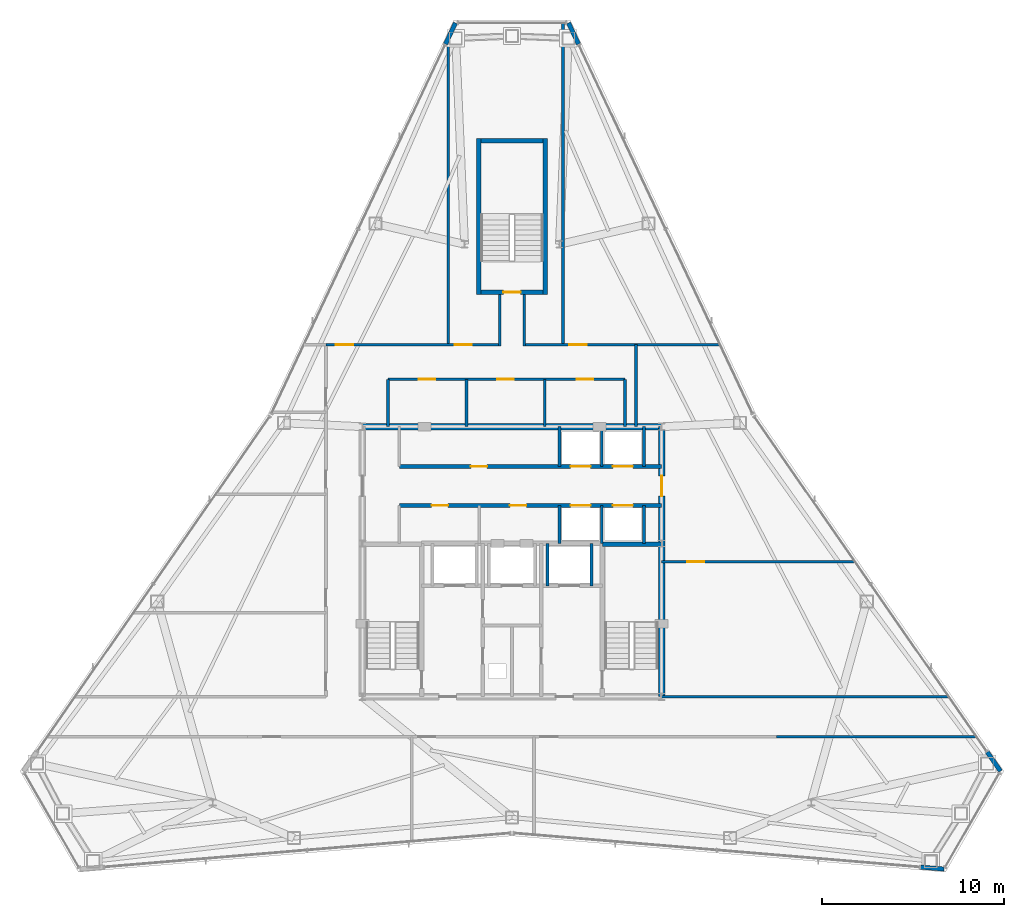
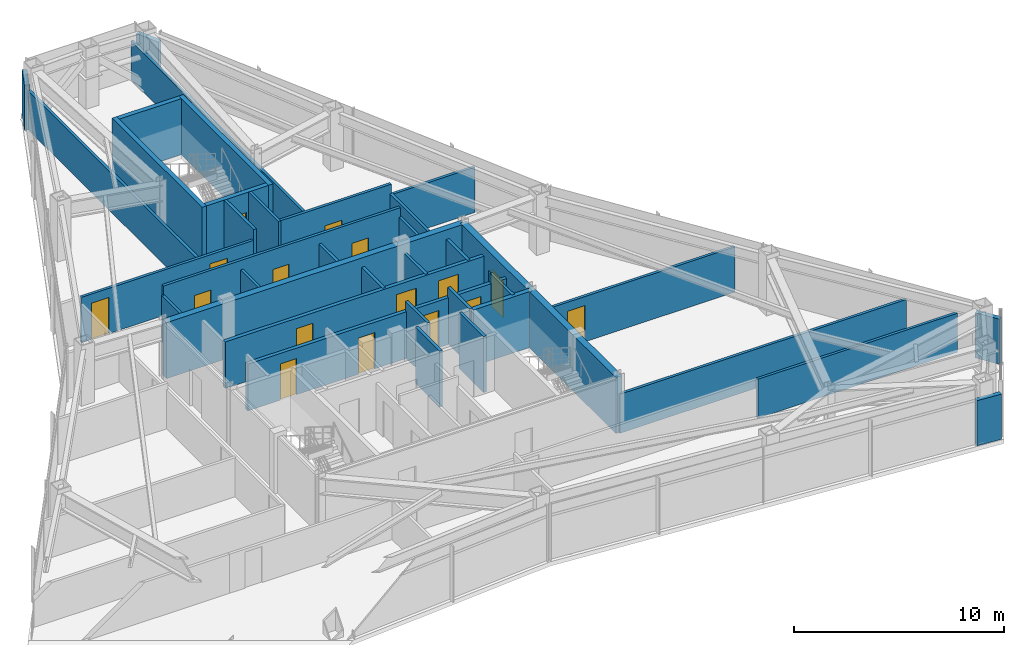
# One storey, part 10 of 12: 37 walls, 16 doors, 16 openings.
"""IFC4 building model written with IfcOpenShell, lengths in metres."""

import ifcopenshell
import ifcopenshell.guid

model = None  # the IFC model being written
_history = None  # IfcOwnerHistory: only IFC2X3 demands one
_inside = {}  # id of a spatial element -> (the spatial element, [elements in it])
_under = {}  # id of a project, library or spatial element -> (it, [spatial elements below it])
_declared = {}  # id of a project -> (the project, [libraries it declares])
_typed = {}  # id of a type object -> (the type object, [elements of that type])
_made_of = {}  # id of a material, layer set ... -> (it, [elements and type objects made of it])


def new_model(schema):
    """Start an empty IFC model of exactly this schema.

    Asked for "IFC4X3", IfcOpenShell would pick the latest addendum, in which some entities
    have other attributes; the version numbers below select the first issue.
    IFC2X3 requires an IfcOwnerHistory on every rooted entity: one is made here for all.
    """
    global model, _history
    if schema == "IFC4X3":
        model = ifcopenshell.file(schema_version=(4, 3, 0, 0))
    else:
        model = ifcopenshell.file(schema=schema)
    _inside.clear()
    _under.clear()
    _declared.clear()
    _typed.clear()
    _made_of.clear()
    _history = None
    if model.schema == "IFC2X3":
        org = make("IfcOrganization", Name="unknown")
        user = make(
            "IfcPersonAndOrganization",
            ThePerson=make("IfcPerson", FamilyName="unknown"),
            TheOrganization=org,
        )
        app = make(
            "IfcApplication",
            ApplicationDeveloper=org,
            Version="unknown",
            ApplicationFullName="unknown",
            ApplicationIdentifier="unknown",
        )
        _history = make(
            "IfcOwnerHistory",
            OwningUser=user,
            OwningApplication=app,
            ChangeAction="ADDED",
            CreationDate=0,
        )
    return model


def make(cls, **values):
    """One entity of the class cls with the attributes given. An attribute that is None is left unset."""
    return model.create_entity(
        cls, **{name: value for name, value in values.items() if value is not None}
    )


def rooted(cls, **values):
    """An entity with a GlobalId (a new one), such as an element, a storey or a relation."""
    return make(cls, GlobalId=ifcopenshell.guid.new(), OwnerHistory=_history, **values)


def si_unit(unit_type, name, prefix=None):
    """IfcSIUnit, for example si_unit("LENGTHUNIT", "METRE", prefix="MILLI")."""
    return make("IfcSIUnit", UnitType=unit_type, Prefix=prefix, Name=name)


def assignment(units):
    """IfcUnitAssignment: the units of a project."""
    return None if units is None else make("IfcUnitAssignment", Units=units)


def point(xyz):
    """IfcCartesianPoint."""
    return None if xyz is None else make("IfcCartesianPoint", Coordinates=xyz)


def direction(xyz):
    """IfcDirection."""
    return None if xyz is None else make("IfcDirection", DirectionRatios=xyz)


def frame(location, z_axis=None, x_axis=None):
    """IfcAxis2Placement3D, a coordinate frame: its origin and axes. An axis left out is left unset."""
    return make(
        "IfcAxis2Placement3D",
        Location=point(location),
        Axis=direction(z_axis),
        RefDirection=direction(x_axis),
    )


def frame_2d(location, x_axis=None):
    """IfcAxis2Placement2D, a coordinate frame in the plane: its origin and x axis."""
    return make(
        "IfcAxis2Placement2D", Location=point(location), RefDirection=direction(x_axis)
    )


def origin():
    """The frame at (0, 0, 0) with its axes left unset."""
    return frame((0.0, 0.0, 0.0))


def place(relative_to, where):
    """IfcLocalPlacement: puts the frame where relative to a parent placement (None: the world)."""
    return make(
        "IfcLocalPlacement", PlacementRelTo=relative_to, RelativePlacement=where
    )


def context(
    kind, dimensions, precision=None, world=None, true_north=None, identifier=None
):
    """IfcGeometricRepresentationContext, for example the 3D "Model" context."""
    return make(
        "IfcGeometricRepresentationContext",
        ContextIdentifier=identifier,
        ContextType=kind,
        CoordinateSpaceDimension=dimensions,
        Precision=precision,
        WorldCoordinateSystem=world,
        TrueNorth=true_north,
    )


def subcontext(parent, identifier, kind, view, scale=None):
    """IfcGeometricRepresentationSubContext, for example "Body" below "Model"."""
    return make(
        "IfcGeometricRepresentationSubContext",
        ContextIdentifier=identifier,
        ContextType=kind,
        ParentContext=parent,
        TargetScale=scale,
        TargetView=view,
    )


def project(units=None, contexts=None):
    """IfcProject with its units and contexts."""
    return rooted(
        "IfcProject",
        Name="project",
        RepresentationContexts=contexts,
        UnitsInContext=assignment(units),
    )


def spatial(cls, under=None, at=None, **own):
    """A site, building, storey or space (cls), placed at a placement, below another one or the project."""
    s = rooted(cls, ObjectPlacement=at, **own)
    if under is not None:
        _under.setdefault(under.id(), (under, []))[1].append(s)
    return s


def profile(cls, at=None, kind="AREA", **sizes):
    """A parametric profile (cls). Its sizes go by their IFC names, for example OverallWidth=200.0."""
    return make(cls, ProfileType=kind, Position=at, **sizes)


def rectangle(**sizes):
    """IfcRectangleProfileDef."""
    return profile("IfcRectangleProfileDef", **sizes)


def extrude(swept, where, along, depth):
    """IfcExtrudedAreaSolid: the profile swept, set in the frame where, extruded along a direction by depth."""
    return make(
        "IfcExtrudedAreaSolid",
        SweptArea=swept,
        Position=where,
        ExtrudedDirection=direction(along),
        Depth=depth,
    )


def shape(context_of_items, identifier, shape_type, items):
    """IfcShapeRepresentation: the items that make up one representation, for example the "Body"."""
    return make(
        "IfcShapeRepresentation",
        ContextOfItems=context_of_items,
        RepresentationIdentifier=identifier,
        RepresentationType=shape_type,
        Items=items,
    )


def material(Name=None, Category=None):
    """IfcMaterial."""
    return make("IfcMaterial", Name=Name, Category=Category)


def layer(
    of_material, thickness, ventilated=None, Name=None, Category=None, Priority=None
):
    """IfcMaterialLayer: one layer of a wall or slab, of a material (None: an air gap)."""
    return make(
        "IfcMaterialLayer",
        Material=of_material,
        LayerThickness=thickness,
        IsVentilated=ventilated,
        Name=Name,
        Category=Category,
        Priority=Priority,
    )


def layer_set(layers, Name=None):
    """IfcMaterialLayerSet."""
    return make("IfcMaterialLayerSet", MaterialLayers=layers, LayerSetName=Name)


def made_of(thing, what):
    """Note that an element or type object is made of a material, layer set ...; save() writes the relation."""
    if what is not None:
        _made_of.setdefault(what.id(), (what, []))[1].append(thing)
    return thing


def type_object(cls, material=None, **own):
    """A type object (cls), such as IfcWallType, which elements share."""
    return made_of(rooted(cls, **own), material)


def element(
    cls,
    number,
    at=None,
    inside=None,
    cuts=None,
    type_object=None,
    material=None,
    context=None,
    identifier="Body",
    shape_type=None,
    held_by="IfcProductDefinitionShape",
    body=None,
    shapes=None,
    **own,
):
    """One element of the class cls, such as IfcWall. Its Tag is "e" and its number.

    at: its placement. inside: the storey or other place that contains it. cuts: it is an
    opening in that element (IfcRelVoidsElement). A single representation is given by context,
    identifier, shape_type and body (its items); several are given by shapes. held_by: the class
    of the entity that holds the representations. save() writes the other relations.
    """
    e = rooted(cls, Tag="e%d" % number, ObjectPlacement=at, **own)
    if body is not None:
        shapes = [shape(context, identifier, shape_type, body)]
    if shapes is not None:
        e.Representation = make(held_by, Representations=shapes)
    if inside is not None:
        _inside.setdefault(inside.id(), (inside, []))[1].append(e)
    if cuts is not None:
        rooted(
            "IfcRelVoidsElement", RelatingBuildingElement=cuts, RelatedOpeningElement=e
        )
    if type_object is not None:
        _typed.setdefault(type_object.id(), (type_object, []))[1].append(e)
    return made_of(e, material)


def fill(opening, filler):
    """IfcRelFillsElement: the door or window that sits in an opening."""
    return rooted(
        "IfcRelFillsElement",
        RelatingOpeningElement=opening,
        RelatedBuildingElement=filler,
    )


def aggregate(whole, parts):
    """IfcRelAggregates: a whole, such as a stair, and the parts it consists of."""
    return rooted("IfcRelAggregates", RelatingObject=whole, RelatedObjects=parts)


def save(model, path):
    """Write the relations noted so far, then the file.

    IfcRelAggregates (storeys below a building ...), IfcRelContainedInSpatialStructure (elements
    in a storey), IfcRelDefinesByType, IfcRelAssociatesMaterial and IfcRelDeclares: one each for
    every whole, place, type object, material and project.
    """
    for whole, parts in _under.values():
        aggregate(whole, parts)
    for where, things in _inside.values():
        rooted(
            "IfcRelContainedInSpatialStructure",
            RelatedElements=things,
            RelatingStructure=where,
        )
    for kind, things in _typed.values():
        rooted("IfcRelDefinesByType", RelatedObjects=things, RelatingType=kind)
    for what, things in _made_of.values():
        rooted("IfcRelAssociatesMaterial", RelatedObjects=things, RelatingMaterial=what)
    for by, libraries in _declared.values():
        rooted("IfcRelDeclares", RelatingContext=by, RelatedDefinitions=libraries)
    model.write(path)


model = new_model("IFC4")

# Units and contexts
model_context = context("Model", 3, precision=1e-05, world=origin(), true_north=direction((0.0, 1.0)))
body_context = subcontext(model_context, "Body", "Model", "MODEL_VIEW")
ifc_project = project(units=[si_unit("LENGTHUNIT", "METRE"), si_unit("AREAUNIT", "SQUARE_METRE"), si_unit("VOLUMEUNIT", "CUBIC_METRE"), si_unit("PLANEANGLEUNIT", "RADIAN"), si_unit("MASSUNIT", "GRAM", prefix="KILO")], contexts=[model_context])

# Site, building, storey
site_placement = place(None, origin())
site = spatial("IfcSite", under=ifc_project, at=site_placement, CompositionType="ELEMENT")
building_placement = place(site_placement, origin())
building = spatial("IfcBuilding", under=site, at=building_placement, Name="Varakhsha Concourse Tower", CompositionType="ELEMENT")
storey_placement = place(building_placement, frame((0.0, 0.0, 232.89990234375)))
storey = spatial("IfcBuildingStorey", under=building, at=storey_placement, Name="L66", CompositionType="ELEMENT", Elevation=232.89990234375)

# Wall
ifc_material_1 = material(Name="Concrete fc 65 MPa", Category="concrete")
ifc_layer_1 = layer(ifc_material_1, 0.35009765625, Name="WL-CORE-350")
ifc_layer_set_1 = layer_set([ifc_layer_1], Name="Concrete fc 65 MPa")
wall_type_1 = type_object("IfcWallType", Name="WL-CORE-350", PredefinedType="SHEAR", material=ifc_layer_set_1)
wall_1_placement = place(storey_placement, frame((31.800048828125, 31.199951171875, 0.0), z_axis=(0.0, 0.0, 1.0), x_axis=(1.0, 0.0, 0.0)))
element("IfcWall", 1, at=wall_1_placement, inside=storey, type_object=wall_type_1, Name="L66 Wall CWALL-N-L66", PredefinedType="SHEAR", context=body_context, shape_type="SweptSolid", body=[
    extrude(rectangle(XDim=16.39990234375, YDim=0.35009765625, at=frame_2d((8.199951171875, 0.0))), origin(), (0.0, 0.0, 1.0), 3.25),
])

# Wall, opening, door
wall_2_placement = place(storey_placement, frame((48.199951171875, 16.39990234375, 0.0), z_axis=(0.0, 0.0, 1.0), x_axis=(0.0, 1.0, 0.0)))
wall_2 = element("IfcWall", 2, at=wall_2_placement, inside=storey, type_object=wall_type_1, Name="L66 Wall CWALL-E-L66", PredefinedType="SHEAR", context=body_context, shape_type="SweptSolid", body=[
    extrude(rectangle(XDim=14.800048828125, YDim=0.35009765625, at=frame_2d((7.39990234375, 0.0))), origin(), (0.0, 0.0, 1.0), 3.25),
])
opening_1_placement = place(wall_2_placement, frame((11.0, 0.0, 0.0)))
opening_1 = element("IfcOpeningElement", 3, at=opening_1_placement, cuts=wall_2, Name="Opening DL-01", PredefinedType="OPENING", context=body_context, shape_type="SweptSolid", body=[
    extrude(rectangle(XDim=1.10009765625, YDim=2.14990234375, at=frame_2d((0.550048828125, 1.074951171875))), frame((0.0, 0.18505859375, 0.0), z_axis=(0.0, -1.0, 0.0), x_axis=(1.0, 0.0, 0.0)), (0.0, 0.0, 1.0), 0.3701171875),
])
ifc_material_2 = material(Name="Anodised Bronze Architectural Aluminium AA 6063-T6", Category="aluminium")
door_type_1 = type_object("IfcDoorType", Name="DR-LOB-1100", OperationType="NOTDEFINED", PredefinedType="DOOR", material=ifc_material_2)
door_1_placement = place(opening_1_placement, origin())
door_1 = element("IfcDoor", 4, at=door_1_placement, inside=storey, type_object=door_type_1, Name="L66 Lift Lobby East Concourse Door", OperationType="SINGLE_SWING_RIGHT", OverallHeight=2.14990234375, OverallWidth=1.10009765625, PredefinedType="DOOR", context=body_context, shape_type="SweptSolid", body=[
    extrude(rectangle(XDim=1.10009765625, YDim=2.14990234375, at=frame_2d((0.550048828125, 1.074951171875))), frame((0.0, 0.02490234375, 0.0), z_axis=(0.0, -1.0, 0.0), x_axis=(1.0, 0.0, 0.0)), (0.0, 0.0, 1.0), 0.050048828125),
])
fill(opening_1, door_1)

# Walls
ifc_material_3 = material(Name="Concrete fc 45 MPa", Category="concrete")
ifc_layer_2 = layer(ifc_material_3, 0.239990234375, Name="WL-EXT-CRN-240")
ifc_layer_set_2 = layer_set([ifc_layer_2], Name="Concrete fc 45 MPa")
wall_type_2 = type_object("IfcWallType", Name="WL-EXT-CRN-240", PredefinedType="SHEAR", material=ifc_layer_set_2)
wall_3_placement = place(storey_placement, frame((36.899658203125, 53.333251953125, 0.0), z_axis=(0.0, 0.0, 1.0), x_axis=(-0.426209891413, -0.904624302383, 0.0)))
element("IfcWall", 5, at=wall_3_placement, inside=storey, type_object=wall_type_2, Name="L66 Wind-Corner Shoulder Wall F2", PredefinedType="SHEAR", context=body_context, shape_type="SweptSolid", body=[
    extrude(rectangle(XDim=1.281494140625, YDim=0.239990234375, at=frame_2d((0.640625, 0.0))), origin(), (0.0, 0.0, 1.0), 2.623046875),
])
wall_4_placement = place(storey_placement, frame((62.403076171875, 7.054931640625, 0.0), z_axis=(0.0, 0.0, 1.0), x_axis=(0.996527336769, -0.083266242097, 0.0)))
element("IfcWall", 6, at=wall_4_placement, inside=storey, type_object=wall_type_2, Name="L66 Wind-Corner Shoulder Wall F6", PredefinedType="SHEAR", context=body_context, shape_type="SweptSolid", body=[
    extrude(rectangle(XDim=1.28125, YDim=0.239990234375, at=frame_2d((0.640625, 0.0))), origin(), (0.0, 0.0, 1.0), 2.623046875),
])
wall_5_placement = place(storey_placement, frame((66.780517578125, 12.318359375, 0.0), z_axis=(0.0, 0.0, 1.0), x_axis=(-0.5703386897, 0.821409629254, 0.0)))
element("IfcWall", 7, at=wall_5_placement, inside=storey, type_object=wall_type_2, Name="L66 Wind-Corner Shoulder Wall F8", PredefinedType="SHEAR", context=body_context, shape_type="SweptSolid", body=[
    extrude(rectangle(XDim=1.28173828125, YDim=0.239990234375, at=frame_2d((0.640869140625, 0.0))), origin(), (0.0, 0.0, 1.0), 2.623046875),
])
wall_6_placement = place(storey_placement, frame((43.646484375, 52.174072265625, 0.0), z_axis=(0.0, 0.0, 1.0), x_axis=(-0.426209891413, 0.904624302383, 0.0)))
element("IfcWall", 8, at=wall_6_placement, inside=storey, type_object=wall_type_2, Name="L66 Wind-Corner Shoulder Wall F9", PredefinedType="SHEAR", context=body_context, shape_type="SweptSolid", body=[
    extrude(rectangle(XDim=1.281494140625, YDim=0.239990234375, at=frame_2d((0.640625, 0.0))), origin(), (0.0, 0.0, 1.0), 2.623046875),
])

# Wall, openings, doors
ifc_material_4 = material(Name="Fire-Rated Type X Gypsum Partition Assembly", Category="gypsum")
ifc_layer_3 = layer(ifc_material_4, 0.14990234375, Name="WL-PART-150")
ifc_layer_set_3 = layer_set([ifc_layer_3], Name="Fire-Rated Type X Gypsum Partition Assembly")
wall_type_3 = type_object("IfcWallType", Name="WL-PART-150", PredefinedType="PARTITIONING", material=ifc_layer_set_3)
wall_7_placement = place(storey_placement, frame((33.199951171875, 33.800048828125, 0.0), z_axis=(0.0, 0.0, 1.0), x_axis=(1.0, 0.0, 0.0)))
wall_7 = element("IfcWall", 9, at=wall_7_placement, inside=storey, type_object=wall_type_3, Name="L66 Wall NBOH-N-L66", PredefinedType="PARTITIONING", context=body_context, shape_type="SweptSolid", body=[
    extrude(rectangle(XDim=13.0, YDim=0.14990234375, at=frame_2d((6.5, 0.0))), origin(), (0.0, 0.0, 1.0), 3.25),
])
opening_2_placement = place(wall_7_placement, frame((1.699951171875, 0.0, 0.0)))
opening_2 = element("IfcOpeningElement", 10, at=opening_2_placement, cuts=wall_7, Name="Opening DF-06", PredefinedType="OPENING", context=body_context, shape_type="SweptSolid", body=[
    extrude(rectangle(XDim=0.89990234375, YDim=2.10009765625, at=frame_2d((0.449951171875, 1.050048828125))), frame((0.0, 0.0849609375, 0.0), z_axis=(0.0, -1.0, 0.0), x_axis=(1.0, 0.0, 0.0)), (0.0, 0.0, 1.0), 0.169921875),
])
opening_3_placement = place(wall_7_placement, frame((6.0, 0.0, 0.0)))
opening_3 = element("IfcOpeningElement", 11, at=opening_3_placement, cuts=wall_7, Name="Opening DF-06", PredefinedType="OPENING", context=body_context, shape_type="SweptSolid", body=[
    extrude(rectangle(XDim=0.89990234375, YDim=2.10009765625, at=frame_2d((0.449951171875, 1.050048828125))), frame((0.0, 0.0849609375, 0.0), z_axis=(0.0, -1.0, 0.0), x_axis=(1.0, 0.0, 0.0)), (0.0, 0.0, 1.0), 0.169921875),
])
opening_4_placement = place(wall_7_placement, frame((10.35009765625, 0.0, 0.0)))
opening_4 = element("IfcOpeningElement", 12, at=opening_4_placement, cuts=wall_7, Name="Opening DF-06", PredefinedType="OPENING", context=body_context, shape_type="SweptSolid", body=[
    extrude(rectangle(XDim=0.89990234375, YDim=2.10009765625, at=frame_2d((0.449951171875, 1.050048828125))), frame((0.0, 0.0849609375, 0.0), z_axis=(0.0, -1.0, 0.0), x_axis=(1.0, 0.0, 0.0)), (0.0, 0.0, 1.0), 0.169921875),
])
ifc_material_5 = material(Name="Hollow Galvanised Steel Fire Door Assembly", Category="steel")
door_type_2 = type_object("IfcDoorType", Name="DR-FD60-900", OperationType="NOTDEFINED", PredefinedType="DOOR", material=ifc_material_5)
door_2_placement = place(opening_2_placement, origin())
door_2 = element("IfcDoor", 13, at=door_2_placement, inside=storey, type_object=door_type_2, Name="L66 Men Restroom WC Door", OperationType="SINGLE_SWING_LEFT", OverallHeight=2.10009765625, OverallWidth=0.89990234375, PredefinedType="DOOR", context=body_context, shape_type="SweptSolid", body=[
    extrude(rectangle(XDim=0.89990234375, YDim=2.10009765625, at=frame_2d((0.449951171875, 1.050048828125))), frame((0.0, 0.02490234375, 0.0), z_axis=(0.0, -1.0, 0.0), x_axis=(1.0, 0.0, 0.0)), (0.0, 0.0, 1.0), 0.050048828125),
])
fill(opening_2, door_2)
door_3_placement = place(opening_3_placement, origin())
door_3 = element("IfcDoor", 14, at=door_3_placement, inside=storey, type_object=door_type_2, Name="L66 Women Restroom WC Door", OperationType="SINGLE_SWING_RIGHT", OverallHeight=2.10009765625, OverallWidth=0.89990234375, PredefinedType="DOOR", context=body_context, shape_type="SweptSolid", body=[
    extrude(rectangle(XDim=0.89990234375, YDim=2.10009765625, at=frame_2d((0.449951171875, 1.050048828125))), frame((0.0, 0.02490234375, 0.0), z_axis=(0.0, -1.0, 0.0), x_axis=(1.0, 0.0, 0.0)), (0.0, 0.0, 1.0), 0.050048828125),
])
fill(opening_3, door_3)
door_4_placement = place(opening_4_placement, origin())
door_4 = element("IfcDoor", 15, at=door_4_placement, inside=storey, type_object=door_type_2, Name="L66 Accessible WC Door", OperationType="SINGLE_SWING_LEFT", OverallHeight=2.10009765625, OverallWidth=0.89990234375, PredefinedType="DOOR", context=body_context, shape_type="SweptSolid", body=[
    extrude(rectangle(XDim=0.89990234375, YDim=2.10009765625, at=frame_2d((0.449951171875, 1.050048828125))), frame((0.0, 0.02490234375, 0.0), z_axis=(0.0, -1.0, 0.0), x_axis=(1.0, 0.0, 0.0)), (0.0, 0.0, 1.0), 0.050048828125),
])
fill(opening_4, door_4)

# Walls
for number, where, z_axis, x_axis, name in (
    (16, (33.199951171875, 31.199951171875, 0.0), (0.0, 0.0, 1.0), (0.0, 1.0, 0.0), "L66 Wall NBOH-W-L66"),
    (17, (46.199951171875, 31.199951171875, 0.0), (0.0, 0.0, 1.0), (0.0, 1.0, 0.0), "L66 Wall NBOH-E-L66"),
    (18, (37.5, 31.199951171875, 0.0), (0.0, 0.0, 1.0), (0.0, 1.0, 0.0), "L66 Wall NBOH-D1-L66"),
    (19, (41.800048828125, 31.199951171875, 0.0), (0.0, 0.0, 1.0), (0.0, 1.0, 0.0), "L66 Wall NBOH-D2-L66"),
):
    element("IfcWall", number, at=place(storey_placement, frame(where, z_axis=z_axis, x_axis=x_axis)), inside=storey, type_object=wall_type_3, Name=name, PredefinedType="PARTITIONING", context=body_context, shape_type="SweptSolid", body=[
        extrude(rectangle(XDim=2.60009765625, YDim=0.14990234375, at=frame_2d((1.300048828125, 0.0))), origin(), (0.0, 0.0, 1.0), 2.705078125),
    ])
wall_8_placement = place(storey_placement, frame((54.5, 14.199951171875, 0.0), z_axis=(0.0, 0.0, 1.0), x_axis=(1.0, 0.0, 0.0)))
element("IfcWall", 20, at=wall_8_placement, inside=storey, type_object=wall_type_3, Name="L66 Wall CRW-SGAL-SE-L66", PredefinedType="PARTITIONING", context=body_context, shape_type="SweptSolid", body=[
    extrude(rectangle(XDim=10.9677734375, YDim=0.14990234375, at=frame_2d((5.48388671875, 0.0))), origin(), (0.0, 0.0, 1.0), 2.26513671875),
])
wall_9_placement = place(storey_placement, frame((48.199951171875, 16.39990234375, 0.0), z_axis=(0.0, 0.0, 1.0), x_axis=(1.0, 0.0, 0.0)))
element("IfcWall", 21, at=wall_9_placement, inside=storey, type_object=wall_type_3, Name="L66 Wall CRW-SGAL-NE-L66", PredefinedType="PARTITIONING", context=body_context, shape_type="SweptSolid", body=[
    extrude(rectangle(XDim=15.740234375, YDim=0.14990234375, at=frame_2d((7.8701171875, 0.0))), origin(), (0.0, 0.0, 1.0), 2.26513671875),
])

# Wall, openings, doors
wall_10_placement = place(storey_placement, frame((29.800048828125, 35.699951171875, 0.0), z_axis=(0.0, 0.0, 1.0), x_axis=(1.0, 0.0, 0.0)))
wall_10 = element("IfcWall", 22, at=wall_10_placement, inside=storey, type_object=wall_type_3, Name="L66 Wall CRW-N-L66", PredefinedType="PARTITIONING", context=body_context, shape_type="SweptSolid", body=[
    extrude(rectangle(XDim=9.449951171875, YDim=0.14990234375, at=frame_2d((4.72509765625, 0.0))), origin(), (0.0, 0.0, 1.0), 2.628173828125),
])
opening_5_placement = place(wall_10_placement, frame((0.550048828125, 0.0, 0.0)))
opening_5 = element("IfcOpeningElement", 23, at=opening_5_placement, cuts=wall_10, Name="Opening DF-05", PredefinedType="OPENING", context=body_context, shape_type="SweptSolid", body=[
    extrude(rectangle(XDim=0.949951171875, YDim=2.10009765625, at=frame_2d((0.47509765625, 1.050048828125))), frame((0.0, 0.0849609375, 0.0), z_axis=(0.0, -1.0, 0.0), x_axis=(1.0, 0.0, 0.0)), (0.0, 0.0, 1.0), 0.169921875),
])
opening_6_placement = place(wall_10_placement, frame((7.050048828125, 0.0, 0.0)))
opening_6 = element("IfcOpeningElement", 24, at=opening_6_placement, cuts=wall_10, Name="Opening DF-05", PredefinedType="OPENING", context=body_context, shape_type="SweptSolid", body=[
    extrude(rectangle(XDim=0.949951171875, YDim=2.10009765625, at=frame_2d((0.47509765625, 1.050048828125))), frame((0.0, 0.0849609375, 0.0), z_axis=(0.0, -1.0, 0.0), x_axis=(1.0, 0.0, 0.0)), (0.0, 0.0, 1.0), 0.169921875),
])
door_type_3 = type_object("IfcDoorType", Name="DR-FD60-950", OperationType="NOTDEFINED", PredefinedType="DOOR", material=ifc_material_5)
door_5_placement = place(opening_5_placement, origin())
door_5 = element("IfcDoor", 25, at=door_5_placement, inside=storey, type_object=door_type_3, Name="L66 Mountain View Project Pitch Room L66-N1 Door", OperationType="SINGLE_SWING_RIGHT", OverallHeight=2.10009765625, OverallWidth=0.949951171875, PredefinedType="DOOR", context=body_context, shape_type="SweptSolid", body=[
    extrude(rectangle(XDim=0.949951171875, YDim=2.10009765625, at=frame_2d((0.47509765625, 1.050048828125))), frame((0.0, 0.02490234375, 0.0), z_axis=(0.0, -1.0, 0.0), x_axis=(1.0, 0.0, 0.0)), (0.0, 0.0, 1.0), 0.050048828125),
])
fill(opening_5, door_5)
door_6_placement = place(opening_6_placement, origin())
door_6 = element("IfcDoor", 26, at=door_6_placement, inside=storey, type_object=door_type_3, Name="L66 North Hot-Desk Studio Neighborhood L66-N2 Door", OperationType="SINGLE_SWING_LEFT", OverallHeight=2.10009765625, OverallWidth=0.949951171875, PredefinedType="DOOR", context=body_context, shape_type="SweptSolid", body=[
    extrude(rectangle(XDim=0.949951171875, YDim=2.10009765625, at=frame_2d((0.47509765625, 1.050048828125))), frame((0.0, 0.02490234375, 0.0), z_axis=(0.0, -1.0, 0.0), x_axis=(1.0, 0.0, 0.0)), (0.0, 0.0, 1.0), 0.050048828125),
])
fill(opening_6, door_6)

# Wall, opening, door
wall_11_placement = place(storey_placement, frame((40.75, 35.699951171875, 0.0), z_axis=(0.0, 0.0, 1.0), x_axis=(1.0, 0.0, 0.0)))
wall_11 = element("IfcWall", 27, at=wall_11_placement, inside=storey, type_object=wall_type_3, Name="L66 Wall CRW-N-L66-B", PredefinedType="PARTITIONING", context=body_context, shape_type="SweptSolid", body=[
    extrude(rectangle(XDim=6.050048828125, YDim=0.14990234375, at=frame_2d((3.02490234375, 0.0))), origin(), (0.0, 0.0, 1.0), 3.25),
])
opening_7_placement = place(wall_11_placement, frame((2.39990234375, 0.0, 0.0)))
opening_7 = element("IfcOpeningElement", 28, at=opening_7_placement, cuts=wall_11, Name="Opening DF-05", PredefinedType="OPENING", context=body_context, shape_type="SweptSolid", body=[
    extrude(rectangle(XDim=0.949951171875, YDim=2.10009765625, at=frame_2d((0.47509765625, 1.050048828125))), frame((0.0, 0.0849609375, 0.0), z_axis=(0.0, -1.0, 0.0), x_axis=(1.0, 0.0, 0.0)), (0.0, 0.0, 1.0), 0.169921875),
])
door_7_placement = place(opening_7_placement, origin())
door_7 = element("IfcDoor", 29, at=door_7_placement, inside=storey, type_object=door_type_3, Name="L66 North Hot-Desk Studio Neighborhood L66-N3 Door", OperationType="SINGLE_SWING_RIGHT", OverallHeight=2.10009765625, OverallWidth=0.949951171875, PredefinedType="DOOR", context=body_context, shape_type="SweptSolid", body=[
    extrude(rectangle(XDim=0.949951171875, YDim=2.10009765625, at=frame_2d((0.47509765625, 1.050048828125))), frame((0.0, 0.02490234375, 0.0), z_axis=(0.0, -1.0, 0.0), x_axis=(1.0, 0.0, 0.0)), (0.0, 0.0, 1.0), 0.050048828125),
])
fill(opening_7, door_7)

# Walls
wall_12_placement = place(storey_placement, frame((46.800048828125, 31.199951171875, 0.0), z_axis=(0.0, 0.0, 1.0), x_axis=(0.0, 1.0, 0.0)))
element("IfcWall", 30, at=wall_12_placement, inside=storey, type_object=wall_type_3, Name="L66 Wall CRW-NE-L66", PredefinedType="PARTITIONING", context=body_context, shape_type="SweptSolid", body=[
    extrude(rectangle(XDim=4.5, YDim=0.14990234375, at=frame_2d((2.25, 0.0))), origin(), (0.0, 0.0, 1.0), 2.705078125),
])
wall_13_placement = place(storey_placement, frame((46.800048828125, 35.699951171875, 0.0), z_axis=(0.0, 0.0, 1.0), x_axis=(1.0, 0.0, 0.0)))
element("IfcWall", 31, at=wall_13_placement, inside=storey, type_object=wall_type_3, Name="L66 Wall ODIV-EBN-L66", PredefinedType="PARTITIONING", context=body_context, shape_type="SweptSolid", body=[
    extrude(rectangle(XDim=4.601806640625, YDim=0.14990234375, at=frame_2d((2.30078125, 0.0))), origin(), (0.0, 0.0, 1.0), 2.628173828125),
])

# Wall, opening, door
wall_14_placement = place(storey_placement, frame((48.199951171875, 23.800048828125, 0.0), z_axis=(0.0, 0.0, 1.0), x_axis=(1.0, 0.0, 0.0)))
wall_14 = element("IfcWall", 32, at=wall_14_placement, inside=storey, type_object=wall_type_3, Name="L66 Wall ODIV-E1-L66", PredefinedType="PARTITIONING", context=body_context, shape_type="SweptSolid", body=[
    extrude(rectangle(XDim=10.601806640625, YDim=0.14990234375, at=frame_2d((5.30078125, 0.0))), origin(), (0.0, 0.0, 1.0), 2.628173828125),
])
opening_8_placement = place(wall_14_placement, frame((1.39990234375, 0.0, 0.0)))
opening_8 = element("IfcOpeningElement", 33, at=opening_8_placement, cuts=wall_14, Name="Opening DF-05", PredefinedType="OPENING", context=body_context, shape_type="SweptSolid", body=[
    extrude(rectangle(XDim=0.949951171875, YDim=2.10009765625, at=frame_2d((0.47509765625, 1.050048828125))), frame((0.0, 0.0849609375, 0.0), z_axis=(0.0, -1.0, 0.0), x_axis=(1.0, 0.0, 0.0)), (0.0, 0.0, 1.0), 0.169921875),
])
door_8_placement = place(opening_8_placement, origin())
door_8 = element("IfcDoor", 34, at=door_8_placement, inside=storey, type_object=door_type_3, Name="L66 East Suite Interconnect Door 1", OperationType="SINGLE_SWING_LEFT", OverallHeight=2.10009765625, OverallWidth=0.949951171875, PredefinedType="DOOR", context=body_context, shape_type="SweptSolid", body=[
    extrude(rectangle(XDim=0.949951171875, YDim=2.10009765625, at=frame_2d((0.47509765625, 1.050048828125))), frame((0.0, 0.02490234375, 0.0), z_axis=(0.0, -1.0, 0.0), x_axis=(1.0, 0.0, 0.0)), (0.0, 0.0, 1.0), 0.050048828125),
])
fill(opening_8, door_8)

# Walls
wall_15_placement = place(storey_placement, frame((36.5, 35.699951171875, 0.0), z_axis=(0.0, 0.0, 1.0), x_axis=(0.0, 1.0, 0.0)))
element("IfcWall", 35, at=wall_15_placement, inside=storey, type_object=wall_type_3, Name="L66 Wall ODIV-N1-L66", PredefinedType="PARTITIONING", context=body_context, shape_type="SweptSolid", body=[
    extrude(rectangle(XDim=16.7734375, YDim=0.14990234375, at=frame_2d((8.38671875, 0.0))), origin(), (0.0, 0.0, 1.0), 2.26513671875),
])
wall_16_placement = place(storey_placement, frame((42.800048828125, 35.699951171875, 0.0), z_axis=(0.0, 0.0, 1.0), x_axis=(0.0, 1.0, 0.0)))
element("IfcWall", 36, at=wall_16_placement, inside=storey, type_object=wall_type_3, Name="L66 Wall ODIV-N2-L66", PredefinedType="PARTITIONING", context=body_context, shape_type="SweptSolid", body=[
    extrude(rectangle(XDim=17.632568359375, YDim=0.14990234375, at=frame_2d((8.81640625, 0.0))), origin(), (0.0, 0.0, 1.0), 2.26513671875),
])
for number, where, z_axis, x_axis, name in (
    (37, (39.324951171875, 35.625, 0.0), (0.0, 0.0, 1.0), (0.0, 1.0, 0.0), "L66 Wall STUB-W-L66"),
    (38, (40.675048828125, 35.625, 0.0), (0.0, 0.0, 1.0), (0.0, 1.0, 0.0), "L66 Wall STUB-E-L66"),
):
    element("IfcWall", number, at=place(storey_placement, frame(where, z_axis=z_axis, x_axis=x_axis)), inside=storey, type_object=wall_type_3, Name=name, PredefinedType="PARTITIONING", context=body_context, shape_type="SweptSolid", body=[
        extrude(rectangle(XDim=2.824951171875, YDim=0.14990234375, at=frame_2d((1.41259765625, 0.0))), origin(), (0.0, 0.0, 1.0), 3.25),
    ])
ifc_layer_4 = layer(ifc_material_4, 0.199951171875, Name="WL-SHAFT-220")
ifc_layer_set_4 = layer_set([ifc_layer_4], Name="Fire-Rated Type X Gypsum Partition Assembly")
wall_type_4 = type_object("IfcWallType", Name="WL-SHAFT-220", PredefinedType="SOLIDWALL", material=ifc_layer_set_4)
for number, where, z_axis, x_axis, name in (
    (39, (41.949951171875, 22.47998046875, 0.0), (0.0, 0.0, 1.0), (0.0, 1.0, 0.0), "L66 Wall SHW-FFL-2-W-L66"),
    (40, (44.35009765625, 22.47998046875, 0.0), (0.0, 0.0, 1.0), (0.0, 1.0, 0.0), "L66 Wall SHW-FFL-2-E-L66"),
):
    element("IfcWall", number, at=place(storey_placement, frame(where, z_axis=z_axis, x_axis=x_axis)), inside=storey, type_object=wall_type_4, Name=name, PredefinedType="SOLIDWALL", context=body_context, shape_type="SweptSolid", body=[
        extrude(rectangle(XDim=2.320068359375, YDim=0.159912109375, at=frame_2d((1.16015625, 0.0))), origin(), (0.0, 0.0, 1.0), 3.25),
    ])

# Wall, openings, doors
wall_17_placement = place(storey_placement, frame((33.820068359375, 29.02001953125, 0.0), z_axis=(0.0, 0.0, 1.0), x_axis=(1.0, 0.0, 0.0)))
wall_17 = element("IfcWall", 41, at=wall_17_placement, inside=storey, type_object=wall_type_4, Name="L66 Wall PLW-N-L66", PredefinedType="SOLIDWALL", context=body_context, shape_type="SweptSolid", body=[
    extrude(rectangle(XDim=14.3798828125, YDim=0.199951171875, at=frame_2d((7.18994140625, 0.0))), origin(), (0.0, 0.0, 1.0), 2.705078125),
])
opening_9_placement = place(wall_17_placement, frame((3.919921875, 0.0, 0.0)))
opening_9 = element("IfcOpeningElement", 42, at=opening_9_placement, cuts=wall_17, Name="Opening DF-06", PredefinedType="OPENING", context=body_context, shape_type="SweptSolid", body=[
    extrude(rectangle(XDim=0.89990234375, YDim=2.10009765625, at=frame_2d((0.449951171875, 1.050048828125))), frame((0.0, 0.10986328125, 0.0), z_axis=(0.0, -1.0, 0.0), x_axis=(1.0, 0.0, 0.0)), (0.0, 0.0, 1.0), 0.219970703125),
])
opening_10_placement = place(wall_17_placement, frame((9.389892578125, 0.0, 0.0)))
opening_10 = element("IfcOpeningElement", 43, at=opening_10_placement, cuts=wall_17, Name="Opening LD-LF-P09", PredefinedType="OPENING", context=body_context, shape_type="SweptSolid", body=[
    extrude(rectangle(XDim=1.10009765625, YDim=2.14990234375, at=frame_2d((0.550048828125, 1.074951171875))), frame((0.0, 0.10986328125, 0.0), z_axis=(0.0, -1.0, 0.0), x_axis=(1.0, 0.0, 0.0)), (0.0, 0.0, 1.0), 0.219970703125),
])
opening_11_placement = place(wall_17_placement, frame((11.7099609375, 0.0, 0.0)))
opening_11 = element("IfcOpeningElement", 44, at=opening_11_placement, cuts=wall_17, Name="Opening LD-LF-P10", PredefinedType="OPENING", context=body_context, shape_type="SweptSolid", body=[
    extrude(rectangle(XDim=1.10009765625, YDim=2.14990234375, at=frame_2d((0.550048828125, 1.074951171875))), frame((0.0, 0.10986328125, 0.0), z_axis=(0.0, -1.0, 0.0), x_axis=(1.0, 0.0, 0.0)), (0.0, 0.0, 1.0), 0.219970703125),
])
door_9_placement = place(opening_9_placement, origin())
door_9 = element("IfcDoor", 45, at=door_9_placement, inside=storey, type_object=door_type_2, Name="L66 Tenant Archive and IT Server Room Door", OperationType="SINGLE_SWING_LEFT", OverallHeight=2.10009765625, OverallWidth=0.89990234375, PredefinedType="DOOR", context=body_context, shape_type="SweptSolid", body=[
    extrude(rectangle(XDim=0.89990234375, YDim=2.10009765625, at=frame_2d((0.449951171875, 1.050048828125))), frame((0.0, 0.02490234375, 0.0), z_axis=(0.0, -1.0, 0.0), x_axis=(1.0, 0.0, 0.0)), (0.0, 0.0, 1.0), 0.050048828125),
])
fill(opening_9, door_9)
ifc_material_6 = material(Name="Brushed Austenitic Stainless Steel AISI 316", Category="steel")
door_type_4 = type_object("IfcDoorType", Name="DR-LD-1100", OperationType="DOUBLE_DOOR_SLIDING", PredefinedType="DOOR", material=ifc_material_6)
door_10_placement = place(opening_10_placement, origin())
door_10 = element("IfcDoor", 46, at=door_10_placement, inside=storey, type_object=door_type_4, Name="Lift Landing Door LF-P09 L66", OperationType="DOUBLE_DOOR_SLIDING", OverallHeight=2.14990234375, OverallWidth=1.10009765625, PredefinedType="DOOR", context=body_context, shape_type="SweptSolid", body=[
    extrude(rectangle(XDim=1.10009765625, YDim=2.14990234375, at=frame_2d((0.550048828125, 1.074951171875))), frame((0.0, 0.02490234375, 0.0), z_axis=(0.0, -1.0, 0.0), x_axis=(1.0, 0.0, 0.0)), (0.0, 0.0, 1.0), 0.050048828125),
])
fill(opening_10, door_10)
door_11_placement = place(opening_11_placement, origin())
door_11 = element("IfcDoor", 47, at=door_11_placement, inside=storey, type_object=door_type_4, Name="Lift Landing Door LF-P10 L66", OperationType="DOUBLE_DOOR_SLIDING", OverallHeight=2.14990234375, OverallWidth=1.10009765625, PredefinedType="DOOR", context=body_context, shape_type="SweptSolid", body=[
    extrude(rectangle(XDim=1.10009765625, YDim=2.14990234375, at=frame_2d((0.550048828125, 1.074951171875))), frame((0.0, 0.02490234375, 0.0), z_axis=(0.0, -1.0, 0.0), x_axis=(1.0, 0.0, 0.0)), (0.0, 0.0, 1.0), 0.050048828125),
])
fill(opening_11, door_11)

wall_18_placement = place(storey_placement, frame((33.820068359375, 26.8798828125, 0.0), z_axis=(0.0, 0.0, 1.0), x_axis=(1.0, 0.0, 0.0)))
wall_18 = element("IfcWall", 48, at=wall_18_placement, inside=storey, type_object=wall_type_4, Name="L66 Wall PLW-S-L66", PredefinedType="SOLIDWALL", context=body_context, shape_type="SweptSolid", body=[
    extrude(rectangle(XDim=14.3798828125, YDim=0.199951171875, at=frame_2d((7.18994140625, 0.0))), origin(), (0.0, 0.0, 1.0), 2.705078125),
])
opening_12_placement = place(wall_18_placement, frame((1.780029296875, 0.0, 0.0)))
opening_12 = element("IfcOpeningElement", 49, at=opening_12_placement, cuts=wall_18, Name="Opening DF-06", PredefinedType="OPENING", context=body_context, shape_type="SweptSolid", body=[
    extrude(rectangle(XDim=0.89990234375, YDim=2.10009765625, at=frame_2d((0.449951171875, 1.050048828125))), frame((0.0, 0.10986328125, 0.0), z_axis=(0.0, -1.0, 0.0), x_axis=(1.0, 0.0, 0.0)), (0.0, 0.0, 1.0), 0.219970703125),
])
opening_13_placement = place(wall_18_placement, frame((6.070068359375, 0.0, 0.0)))
opening_13 = element("IfcOpeningElement", 50, at=opening_13_placement, cuts=wall_18, Name="Opening DF-06", PredefinedType="OPENING", context=body_context, shape_type="SweptSolid", body=[
    extrude(rectangle(XDim=0.89990234375, YDim=2.10009765625, at=frame_2d((0.449951171875, 1.050048828125))), frame((0.0, 0.10986328125, 0.0), z_axis=(0.0, -1.0, 0.0), x_axis=(1.0, 0.0, 0.0)), (0.0, 0.0, 1.0), 0.219970703125),
])
opening_14_placement = place(wall_18_placement, frame((9.389892578125, 0.0, 0.0)))
opening_14 = element("IfcOpeningElement", 51, at=opening_14_placement, cuts=wall_18, Name="Opening LD-LF-P11", PredefinedType="OPENING", context=body_context, shape_type="SweptSolid", body=[
    extrude(rectangle(XDim=1.10009765625, YDim=2.14990234375, at=frame_2d((0.550048828125, 1.074951171875))), frame((0.0, 0.10986328125, 0.0), z_axis=(0.0, -1.0, 0.0), x_axis=(1.0, 0.0, 0.0)), (0.0, 0.0, 1.0), 0.219970703125),
])
opening_15_placement = place(wall_18_placement, frame((11.7099609375, 0.0, 0.0)))
opening_15 = element("IfcOpeningElement", 52, at=opening_15_placement, cuts=wall_18, Name="Opening LD-LF-P12", PredefinedType="OPENING", context=body_context, shape_type="SweptSolid", body=[
    extrude(rectangle(XDim=1.10009765625, YDim=2.14990234375, at=frame_2d((0.550048828125, 1.074951171875))), frame((0.0, 0.10986328125, 0.0), z_axis=(0.0, -1.0, 0.0), x_axis=(1.0, 0.0, 0.0)), (0.0, 0.0, 1.0), 0.219970703125),
])
door_12_placement = place(opening_12_placement, origin())
door_12 = element("IfcDoor", 53, at=door_12_placement, inside=storey, type_object=door_type_2, Name="L66 Executive Pantry and Copy Suite Door", OperationType="SINGLE_SWING_RIGHT", OverallHeight=2.10009765625, OverallWidth=0.89990234375, PredefinedType="DOOR", context=body_context, shape_type="SweptSolid", body=[
    extrude(rectangle(XDim=0.89990234375, YDim=2.10009765625, at=frame_2d((0.449951171875, 1.050048828125))), frame((0.0, 0.02490234375, 0.0), z_axis=(0.0, -1.0, 0.0), x_axis=(1.0, 0.0, 0.0)), (0.0, 0.0, 1.0), 0.050048828125),
])
fill(opening_12, door_12)
door_13_placement = place(opening_13_placement, origin())
door_13 = element("IfcDoor", 54, at=door_13_placement, inside=storey, type_object=door_type_2, Name="L66 Core Supply Closet S1 Door", OperationType="SINGLE_SWING_LEFT", OverallHeight=2.10009765625, OverallWidth=0.89990234375, PredefinedType="DOOR", context=body_context, shape_type="SweptSolid", body=[
    extrude(rectangle(XDim=0.89990234375, YDim=2.10009765625, at=frame_2d((0.449951171875, 1.050048828125))), frame((0.0, 0.02490234375, 0.0), z_axis=(0.0, -1.0, 0.0), x_axis=(1.0, 0.0, 0.0)), (0.0, 0.0, 1.0), 0.050048828125),
])
fill(opening_13, door_13)
door_14_placement = place(opening_14_placement, origin())
door_14 = element("IfcDoor", 55, at=door_14_placement, inside=storey, type_object=door_type_4, Name="Lift Landing Door LF-P11 L66", OperationType="DOUBLE_DOOR_SLIDING", OverallHeight=2.14990234375, OverallWidth=1.10009765625, PredefinedType="DOOR", context=body_context, shape_type="SweptSolid", body=[
    extrude(rectangle(XDim=1.10009765625, YDim=2.14990234375, at=frame_2d((0.550048828125, 1.074951171875))), frame((0.0, 0.02490234375, 0.0), z_axis=(0.0, -1.0, 0.0), x_axis=(1.0, 0.0, 0.0)), (0.0, 0.0, 1.0), 0.050048828125),
])
fill(opening_14, door_14)
door_15_placement = place(opening_15_placement, origin())
door_15 = element("IfcDoor", 56, at=door_15_placement, inside=storey, type_object=door_type_4, Name="Lift Landing Door LF-P12 L66", OperationType="DOUBLE_DOOR_SLIDING", OverallHeight=2.14990234375, OverallWidth=1.10009765625, PredefinedType="DOOR", context=body_context, shape_type="SweptSolid", body=[
    extrude(rectangle(XDim=1.10009765625, YDim=2.14990234375, at=frame_2d((0.550048828125, 1.074951171875))), frame((0.0, 0.02490234375, 0.0), z_axis=(0.0, -1.0, 0.0), x_axis=(1.0, 0.0, 0.0)), (0.0, 0.0, 1.0), 0.050048828125),
])
fill(opening_15, door_15)

# Walls
for number, where, z_axis, x_axis, name in (
    (57, (42.60009765625, 29.02001953125, 0.0), (0.0, 0.0, 1.0), (0.0, 1.0, 0.0), "L66 Wall SHW-LF-P09-W-L66"),
    (58, (44.919921875, 29.02001953125, 0.0), (0.0, 0.0, 1.0), (0.0, 1.0, 0.0), "L66 Wall SHW-LF-P09-E-L66"),
    (59, (47.239990234375, 29.02001953125, 0.0), (0.0, 0.0, 1.0), (0.0, 1.0, 0.0), "L66 Wall SHW-LF-P10-E-L66"),
):
    element("IfcWall", number, at=place(storey_placement, frame(where, z_axis=z_axis, x_axis=x_axis)), inside=storey, type_object=wall_type_4, Name=name, PredefinedType="SOLIDWALL", context=body_context, shape_type="SweptSolid", body=[
        extrude(rectangle(XDim=2.179931640625, YDim=0.159912109375, at=frame_2d((1.08984375, 0.0))), origin(), (0.0, 0.0, 1.0), 2.705078125),
    ])
for number, where, z_axis, x_axis, name in (
    (60, (42.60009765625, 24.800048828125, 0.0), (0.0, 0.0, 1.0), (0.0, 1.0, 0.0), "L66 Wall SHW-LF-P11-W-L66"),
    (61, (44.919921875, 24.800048828125, 0.0), (0.0, 0.0, 1.0), (0.0, 1.0, 0.0), "L66 Wall SHW-LF-P11-E-L66"),
    (62, (47.239990234375, 24.800048828125, 0.0), (0.0, 0.0, 1.0), (0.0, 1.0, 0.0), "L66 Wall SHW-LF-P12-E-L66"),
):
    element("IfcWall", number, at=place(storey_placement, frame(where, z_axis=z_axis, x_axis=x_axis)), inside=storey, type_object=wall_type_4, Name=name, PredefinedType="SOLIDWALL", context=body_context, shape_type="SweptSolid", body=[
        extrude(rectangle(XDim=2.079833984375, YDim=0.159912109375, at=frame_2d((1.0400390625, 0.0))), origin(), (0.0, 0.0, 1.0), 3.25),
    ])
ifc_layer_5 = layer(ifc_material_3, 0.25, Name="WL-STAIR-250")
ifc_layer_set_5 = layer_set([ifc_layer_5], Name="Concrete fc 45 MPa")
wall_type_5 = type_object("IfcWallType", Name="WL-STAIR-250", PredefinedType="SHEAR", material=ifc_layer_set_5)
wall_19_placement = place(storey_placement, frame((44.955078125, 24.7548828125, 0.0), z_axis=(0.0, 0.0, 1.0), x_axis=(1.0, 0.0, 0.0)))
element("IfcWall", 63, at=wall_19_placement, inside=storey, type_object=wall_type_5, Name="L66 Wall SWALL-ST2-N-L66", PredefinedType="SHEAR", context=body_context, shape_type="SweptSolid", body=[
    extrude(rectangle(XDim=3.244873046875, YDim=0.25, at=frame_2d((1.62255859375, 0.0))), origin(), (0.0, 0.0, 1.0), 3.25),
])
for number, where, z_axis, x_axis, name in (
    (64, (38.175048828125, 38.449951171875, 0.0), (0.0, 0.0, 1.0), (0.0, 1.0, 0.0), "L66 Wall SWALL-ST5-W-L66"),
    (65, (41.824951171875, 38.449951171875, 0.0), (0.0, 0.0, 1.0), (0.0, 1.0, 0.0), "L66 Wall SWALL-ST5-E-L66"),
):
    element("IfcWall", number, at=place(storey_placement, frame(where, z_axis=z_axis, x_axis=x_axis)), inside=storey, type_object=wall_type_5, Name=name, PredefinedType="SHEAR", context=body_context, shape_type="SweptSolid", body=[
        extrude(rectangle(XDim=8.550048828125, YDim=0.25, at=frame_2d((4.27490234375, 0.0))), origin(), (0.0, 0.0, 1.0), 3.25),
    ])

# Wall, opening, door
wall_20_placement = place(storey_placement, frame((38.300048828125, 38.574951171875, 0.0), z_axis=(0.0, 0.0, 1.0), x_axis=(1.0, 0.0, 0.0)))
wall_20 = element("IfcWall", 66, at=wall_20_placement, inside=storey, type_object=wall_type_5, Name="L66 Wall SWALL-ST5-S-L66", PredefinedType="SHEAR", context=body_context, shape_type="SweptSolid", body=[
    extrude(rectangle(XDim=3.39990234375, YDim=0.25, at=frame_2d((1.699951171875, 0.0))), origin(), (0.0, 0.0, 1.0), 3.25),
])
opening_16_placement = place(wall_20_placement, frame((1.22509765625, 0.0, 0.0)))
opening_16 = element("IfcOpeningElement", 67, at=opening_16_placement, cuts=wall_20, Name="Opening DF-03", PredefinedType="OPENING", context=body_context, shape_type="SweptSolid", body=[
    extrude(rectangle(XDim=0.949951171875, YDim=2.10009765625, at=frame_2d((0.47509765625, 1.050048828125))), frame((0.0, 0.135009765625, 0.0), z_axis=(0.0, -1.0, 0.0), x_axis=(1.0, 0.0, 0.0)), (0.0, 0.0, 1.0), 0.27001953125),
])
door_type_5 = type_object("IfcDoorType", Name="DR-FD90-950", OperationType="NOTDEFINED", PredefinedType="DOOR", material=ifc_material_5)
door_16_placement = place(opening_16_placement, origin())
door_16 = element("IfcDoor", 68, at=door_16_placement, inside=storey, type_object=door_type_5, Name="L66 Stair ST5 Fire Door", OperationType="SINGLE_SWING_RIGHT", OverallHeight=2.10009765625, OverallWidth=0.949951171875, PredefinedType="DOOR", context=body_context, shape_type="SweptSolid", body=[
    extrude(rectangle(XDim=0.949951171875, YDim=2.10009765625, at=frame_2d((0.47509765625, 1.050048828125))), frame((0.0, 0.02490234375, 0.0), z_axis=(0.0, -1.0, 0.0), x_axis=(1.0, 0.0, 0.0)), (0.0, 0.0, 1.0), 0.050048828125),
])
fill(opening_16, door_16)

# Wall
wall_21_placement = place(storey_placement, frame((38.300048828125, 46.875, 0.0), z_axis=(0.0, 0.0, 1.0), x_axis=(1.0, 0.0, 0.0)))
element("IfcWall", 69, at=wall_21_placement, inside=storey, type_object=wall_type_5, Name="L66 Wall SWALL-ST5-N-L66", PredefinedType="SHEAR", context=body_context, shape_type="SweptSolid", body=[
    extrude(rectangle(XDim=3.39990234375, YDim=0.25, at=frame_2d((1.699951171875, 0.0))), origin(), (0.0, 0.0, 1.0), 3.25),
])

save(model, "model.ifc")
